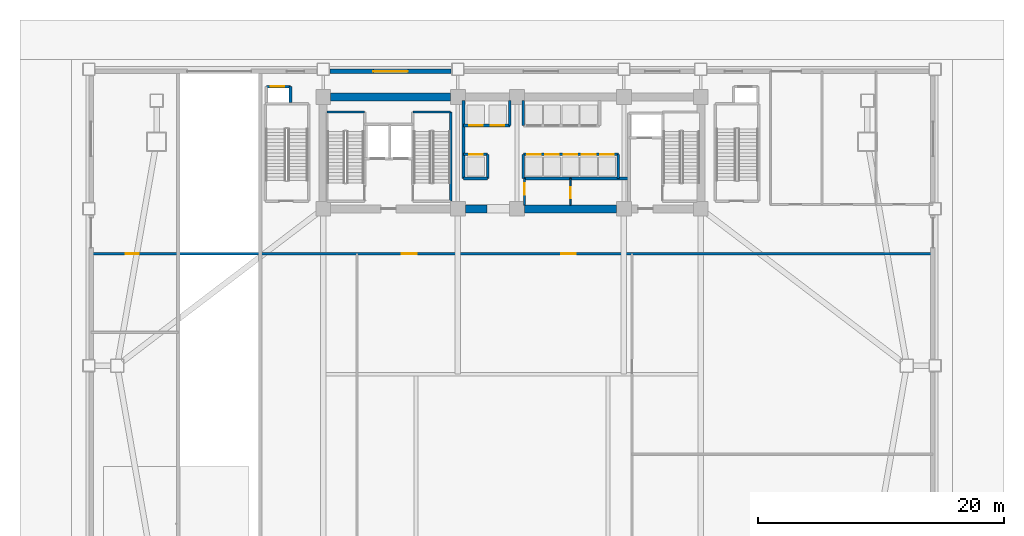
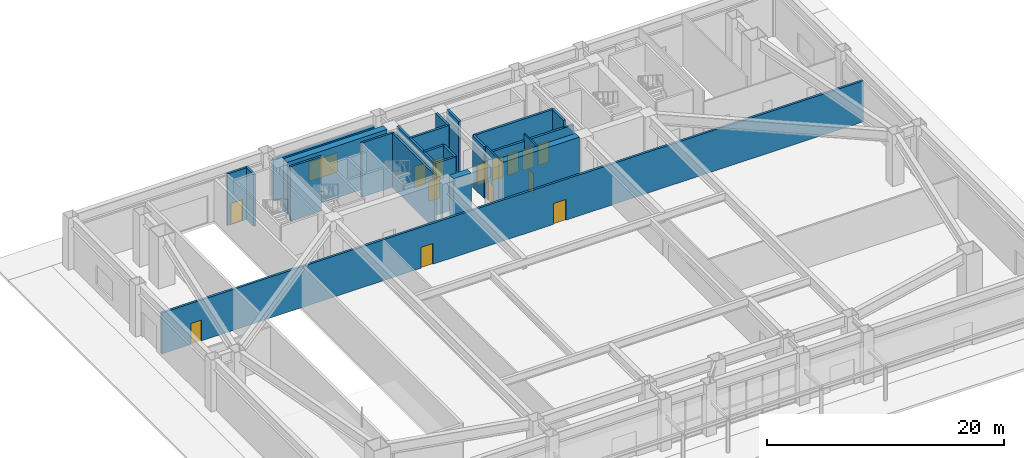
# One storey, part 10 of 18: 23 walls, 14 doors, 1 window, 15 openings.
"""IFC4 building model written with IfcOpenShell, lengths in metres."""

from ifc_helpers import new_model, si_unit, direction, frame, frame_2d, origin, place, context, subcontext, project, spatial, rectangle, extrude, source, transform, mapped, material, layer, layer_set, type_object, element, fill, save


model = new_model("IFC4")

# Units and contexts
model_context = context("Model", 3, precision=1e-05, world=origin(), true_north=direction((0.0, 1.0)))
body_context = subcontext(model_context, "Body", "Model", "MODEL_VIEW")
ifc_project = project(units=[si_unit("LENGTHUNIT", "METRE"), si_unit("AREAUNIT", "SQUARE_METRE"), si_unit("VOLUMEUNIT", "CUBIC_METRE"), si_unit("PLANEANGLEUNIT", "RADIAN"), si_unit("MASSUNIT", "GRAM", prefix="KILO")], contexts=[model_context])

# Site, building, storey
site_placement = place(None, origin())
site = spatial("IfcSite", under=ifc_project, at=site_placement, CompositionType="ELEMENT")
building_placement = place(site_placement, origin())
building = spatial("IfcBuilding", under=site, at=building_placement, Name="Giltprow Tower", CompositionType="ELEMENT")
storey_placement = place(building_placement, origin())
storey = spatial("IfcBuildingStorey", under=building, at=storey_placement, Name="L01", CompositionType="ELEMENT", Elevation=0.0)

# Wall, opening, window
ifc_material_1 = material(Name="Precast concrete C40", Category="concrete")
ifc_layer_1 = layer(ifc_material_1, 0.360107421875, Name="Precast concrete C40")
ifc_layer_set_1 = layer_set([ifc_layer_1], Name="Precast concrete C40")
wall_type_1 = type_object("IfcWallType", Name="EW-POD-STONE-360", PredefinedType="SOLIDWALL", material=ifc_layer_set_1)
wall_1_placement = place(storey_placement, frame((20.39990234375, 48.6201171875, 0.0), z_axis=(0.0, 0.0, 1.0), x_axis=(1.0, 0.0, 0.0)))
wall_1 = element("IfcWall", 1, at=wall_1_placement, inside=storey, type_object=wall_type_1, Name="L01 North Podium Masonry Wall 2", PredefinedType="SOLIDWALL", context=body_context, shape_type="SweptSolid", body=[
    extrude(rectangle(XDim=9.85009765625, YDim=0.360107421875, at=frame_2d((4.925048828125, 0.0))), origin(), (0.0, 0.0, 1.0), 4.219970703125),
])
opening_1_placement = place(wall_1_placement, frame((3.52490234375, 0.0, 0.719970703125)))
opening_1 = element("IfcOpeningElement", 2, at=opening_1_placement, cuts=wall_1, Name="Opening WN31", PredefinedType="OPENING", context=body_context, shape_type="SweptSolid", body=[
    extrude(rectangle(XDim=2.800048828125, YDim=2.0, at=frame_2d((1.39990234375, 1.0))), frame((0.0, 0.18994140625, 0.0), z_axis=(0.0, -1.0, 0.0), x_axis=(1.0, 0.0, 0.0)), (0.0, 0.0, 1.0), 0.380126953125),
])
ifc_material_2 = material(Name="Insulated glass", Category="glass")
window_type = type_object("IfcWindowType", Name="WN-POD-2800x2000", PartitioningType="SINGLE_PANEL", PredefinedType="WINDOW", material=ifc_material_2)
shared_shape_1 = source(origin(), body_context, "Body", "SweptSolid", [
    extrude(rectangle(XDim=2.800048828125, YDim=2.0, at=frame_2d((1.39990234375, 1.0))), frame((0.0, 0.030029296875, 0.0), z_axis=(0.0, -1.0, 0.0), x_axis=(1.0, 0.0, 0.0)), (0.0, 0.0, 1.0), 0.06005859375),
])
window_placement = place(opening_1_placement, origin())
window = element("IfcWindow", 3, at=window_placement, inside=storey, type_object=window_type, Name="L01 Podium North Window 2", OverallHeight=2.0, OverallWidth=2.800048828125, PartitioningType="SINGLE_PANEL", PredefinedType="WINDOW", context=body_context, shape_type="MappedRepresentation", body=[
    mapped(shared_shape_1, transform((0.0, 0.0, 0.0), x_axis=(1.0, 0.0, 0.0), y_axis=(0.0, 1.0, 0.0), z_axis=(0.0, 0.0, 1.0), scale=1.0)),
])
fill(opening_1, window)

# Wall, opening, door
ifc_material_3 = material(Name="Concrete C40", Category="concrete")
ifc_layer_2 = layer(ifc_material_3, 0.219970703125, Name="Concrete C40")
ifc_layer_set_2 = layer_set([ifc_layer_2], Name="Concrete C40")
wall_type_2 = type_object("IfcWallType", Name="IW-SHAFT-220", PredefinedType="SOLIDWALL", material=ifc_layer_set_2)
wall_2_placement = place(storey_placement, frame((15.22998046875, 47.3798828125, 0.0), z_axis=(0.0, 0.0, 1.0), x_axis=(1.0, 0.0, 0.0)))
wall_2 = element("IfcWall", 4, at=wall_2_placement, inside=storey, type_object=wall_type_2, Name="L01 PL-P1 Front Wall", PredefinedType="SOLIDWALL", context=body_context, shape_type="SweptSolid", body=[
    extrude(rectangle(XDim=1.9599609375, YDim=0.219970703125, at=frame_2d((0.97998046875, 0.0))), origin(), (0.0, 0.0, 1.0), 5.340087890625),
])
opening_2_placement = place(wall_2_placement, frame((0.35009765625, 0.0, 0.0)))
opening_2 = element("IfcOpeningElement", 5, at=opening_2_placement, cuts=wall_2, Name="Opening LD-11", PredefinedType="OPENING", context=body_context, shape_type="SweptSolid", body=[
    extrude(rectangle(XDim=1.10009765625, YDim=2.199951171875, at=frame_2d((0.550048828125, 1.10009765625))), frame((0.0, 0.119873046875, 0.0), z_axis=(0.0, -1.0, 0.0), x_axis=(1.0, 0.0, 0.0)), (0.0, 0.0, 1.0), 0.239990234375),
])
ifc_material_4 = material(Name="Stainless steel", Category="steel")
door_type_1 = type_object("IfcDoorType", Name="DR-LIFT-LD1100", OperationType="SLIDING_TO_LEFT", PredefinedType="DOOR", material=ifc_material_4)
shared_shape_2 = source(origin(), body_context, "Body", "SweptSolid", [
    extrude(rectangle(XDim=1.10009765625, YDim=2.199951171875, at=frame_2d((0.550048828125, 1.10009765625))), frame((0.0, 0.02490234375, 0.0), z_axis=(0.0, -1.0, 0.0), x_axis=(1.0, 0.0, 0.0)), (0.0, 0.0, 1.0), 0.050048828125),
])
door_1_placement = place(opening_2_placement, origin())
door_1 = element("IfcDoor", 6, at=door_1_placement, inside=storey, type_object=door_type_1, Name="L01 PL-P1 Landing Door", OperationType="SLIDING_TO_LEFT", OverallHeight=2.199951171875, OverallWidth=1.10009765625, PredefinedType="DOOR", context=body_context, shape_type="MappedRepresentation", body=[
    mapped(shared_shape_2, transform((0.0, 0.0, 0.0), x_axis=(1.0, 0.0, 0.0), y_axis=(0.0, 1.0, 0.0), z_axis=(0.0, 0.0, 1.0), scale=1.0)),
])
fill(opening_2, door_1)

# Wall
wall_3_placement = place(storey_placement, frame((17.18994140625, 46.090087890625, 0.0), z_axis=(0.0, 0.0, 1.0), x_axis=(0.0, 1.0, 0.0)))
element("IfcWall", 7, at=wall_3_placement, inside=storey, type_object=wall_type_2, Name="L01 PL-P1 East Shaft Wall", PredefinedType="SOLIDWALL", context=body_context, shape_type="SweptSolid", body=[
    extrude(rectangle(XDim=1.289794921875, YDim=0.219970703125, at=frame_2d((0.64501953125, 0.0))), origin(), (0.0, 0.0, 1.0), 5.340087890625),
])

# Wall, openings, doors
wall_4_placement = place(storey_placement, frame((31.25, 44.219970703125, 0.0), z_axis=(0.0, 0.0, 1.0), x_axis=(1.0, 0.0, 0.0)))
wall_4 = element("IfcWall", 8, at=wall_4_placement, inside=storey, type_object=wall_type_2, Name="L01 North West Lift Shaft Front Wall", PredefinedType="SOLIDWALL", context=body_context, shape_type="SweptSolid", body=[
    extrude(rectangle(XDim=3.77001953125, YDim=0.219970703125, at=frame_2d((1.885009765625, 0.0))), origin(), (0.0, 0.0, 1.0), 5.340087890625),
])
opening_3_placement = place(wall_4_placement, frame((0.4599609375, 0.0, 0.0)))
opening_3 = element("IfcOpeningElement", 9, at=opening_3_placement, cuts=wall_4, Name="Opening LD-11", PredefinedType="OPENING", context=body_context, shape_type="SweptSolid", body=[
    extrude(rectangle(XDim=1.10009765625, YDim=2.199951171875, at=frame_2d((0.550048828125, 1.10009765625))), frame((0.0, 0.119873046875, 0.0), z_axis=(0.0, -1.0, 0.0), x_axis=(1.0, 0.0, 0.0)), (0.0, 0.0, 1.0), 0.239990234375),
])
opening_4_placement = place(wall_4_placement, frame((2.239990234375, 0.0, 0.0)))
opening_4 = element("IfcOpeningElement", 10, at=opening_4_placement, cuts=wall_4, Name="Opening LD-11", PredefinedType="OPENING", context=body_context, shape_type="SweptSolid", body=[
    extrude(rectangle(XDim=1.10009765625, YDim=2.199951171875, at=frame_2d((0.550048828125, 1.10009765625))), frame((0.0, 0.119873046875, 0.0), z_axis=(0.0, -1.0, 0.0), x_axis=(1.0, 0.0, 0.0)), (0.0, 0.0, 1.0), 0.239990234375),
])
door_2_placement = place(opening_3_placement, origin())
door_2 = element("IfcDoor", 11, at=door_2_placement, inside=storey, type_object=door_type_1, Name="L01 PL-L1 Landing Door", OperationType="SLIDING_TO_LEFT", OverallHeight=2.199951171875, OverallWidth=1.10009765625, PredefinedType="DOOR", context=body_context, shape_type="MappedRepresentation", body=[
    mapped(shared_shape_2, transform((0.0, 0.0, 0.0), x_axis=(1.0, 0.0, 0.0), y_axis=(0.0, 1.0, 0.0), z_axis=(0.0, 0.0, 1.0), scale=1.0)),
])
fill(opening_3, door_2)
door_3_placement = place(opening_4_placement, origin())
door_3 = element("IfcDoor", 12, at=door_3_placement, inside=storey, type_object=door_type_1, Name="L01 PL-L2 Landing Door", OperationType="SLIDING_TO_LEFT", OverallHeight=2.199951171875, OverallWidth=1.10009765625, PredefinedType="DOOR", context=body_context, shape_type="MappedRepresentation", body=[
    mapped(shared_shape_2, transform((0.0, 0.0, 0.0), x_axis=(1.0, 0.0, 0.0), y_axis=(0.0, 1.0, 0.0), z_axis=(0.0, 0.0, 1.0), scale=1.0)),
])
fill(opening_4, door_3)

# Walls
for number, where, z_axis, x_axis, name in (
    (13, (35.02001953125, 44.219970703125, 0.0), (0.0, 0.0, 1.0), (0.0, 1.0, 0.0), "L01 North West Lift Shaft East Closure"),
    (14, (36.1201171875, 44.219970703125, 0.0), (0.0, 0.0, 1.0), (0.0, 1.0, 0.0), "L01 North East Lift Shaft West Closure"),
):
    element("IfcWall", number, at=place(storey_placement, frame(where, z_axis=z_axis, x_axis=x_axis)), inside=storey, type_object=wall_type_2, Name=name, PredefinedType="SOLIDWALL", context=body_context, shape_type="SweptSolid", body=[
        extrude(rectangle(XDim=2.025146484375, YDim=0.219970703125, at=frame_2d((1.0126953125, 0.0))), origin(), (0.0, 0.0, 1.0), 5.340087890625),
    ])

# Wall, opening, door
wall_5_placement = place(storey_placement, frame((31.25, 41.8798828125, 0.0), z_axis=(0.0, 0.0, 1.0), x_axis=(1.0, 0.0, 0.0)))
wall_5 = element("IfcWall", 15, at=wall_5_placement, inside=storey, type_object=wall_type_2, Name="L01 South West Lift Shaft Front Wall", PredefinedType="SOLIDWALL", context=body_context, shape_type="SweptSolid", body=[
    extrude(rectangle(XDim=1.969970703125, YDim=0.219970703125, at=frame_2d((0.98486328125, 0.0))), origin(), (0.0, 0.0, 1.0), 5.340087890625),
])
opening_5_placement = place(wall_5_placement, frame((0.4599609375, 0.0, 0.0)))
opening_5 = element("IfcOpeningElement", 16, at=opening_5_placement, cuts=wall_5, Name="Opening LD-11", PredefinedType="OPENING", context=body_context, shape_type="SweptSolid", body=[
    extrude(rectangle(XDim=1.10009765625, YDim=2.199951171875, at=frame_2d((0.550048828125, 1.10009765625))), frame((0.0, 0.119873046875, 0.0), z_axis=(0.0, -1.0, 0.0), x_axis=(1.0, 0.0, 0.0)), (0.0, 0.0, 1.0), 0.239990234375),
])
door_4_placement = place(opening_5_placement, origin())
door_4 = element("IfcDoor", 17, at=door_4_placement, inside=storey, type_object=door_type_1, Name="L01 PL-L3 Landing Door", OperationType="SLIDING_TO_LEFT", OverallHeight=2.199951171875, OverallWidth=1.10009765625, PredefinedType="DOOR", context=body_context, shape_type="MappedRepresentation", body=[
    mapped(shared_shape_2, transform((0.0, 0.0, 0.0), x_axis=(1.0, 0.0, 0.0), y_axis=(0.0, 1.0, 0.0), z_axis=(0.0, 0.0, 1.0), scale=1.0)),
])
fill(opening_5, door_4)

# Wall, openings, doors
wall_6_placement = place(storey_placement, frame((36.1201171875, 41.8798828125, 0.0), z_axis=(0.0, 0.0, 1.0), x_axis=(1.0, 0.0, 0.0)))
wall_6 = element("IfcWall", 18, at=wall_6_placement, inside=storey, type_object=wall_type_2, Name="L01 South East Lift Shaft Front Wall", PredefinedType="SOLIDWALL", context=body_context, shape_type="SweptSolid", body=[
    extrude(rectangle(XDim=7.72998046875, YDim=0.219970703125, at=frame_2d((3.864990234375, 0.0))), origin(), (0.0, 0.0, 1.0), 5.340087890625),
])
opening_6_placement = place(wall_6_placement, frame((6.260009765625, 0.0, 0.0)))
opening_6 = element("IfcOpeningElement", 19, at=opening_6_placement, cuts=wall_6, Name="Opening LD-11", PredefinedType="OPENING", context=body_context, shape_type="SweptSolid", body=[
    extrude(rectangle(XDim=1.10009765625, YDim=2.199951171875, at=frame_2d((0.550048828125, 1.10009765625))), frame((0.0, 0.119873046875, 0.0), z_axis=(0.0, -1.0, 0.0), x_axis=(1.0, 0.0, 0.0)), (0.0, 0.0, 1.0), 0.239990234375),
])
opening_7_placement = place(wall_6_placement, frame((0.300048828125, 0.0, 0.0)))
opening_7 = element("IfcOpeningElement", 20, at=opening_7_placement, cuts=wall_6, Name="Opening LD-11", PredefinedType="OPENING", context=body_context, shape_type="SweptSolid", body=[
    extrude(rectangle(XDim=1.10009765625, YDim=2.199951171875, at=frame_2d((0.550048828125, 1.10009765625))), frame((0.0, 0.119873046875, 0.0), z_axis=(0.0, -1.0, 0.0), x_axis=(1.0, 0.0, 0.0)), (0.0, 0.0, 1.0), 0.239990234375),
])
opening_8_placement = place(wall_6_placement, frame((1.7900390625, 0.0, 0.0)))
opening_8 = element("IfcOpeningElement", 21, at=opening_8_placement, cuts=wall_6, Name="Opening LD-11", PredefinedType="OPENING", context=body_context, shape_type="SweptSolid", body=[
    extrude(rectangle(XDim=1.10009765625, YDim=2.199951171875, at=frame_2d((0.550048828125, 1.10009765625))), frame((0.0, 0.119873046875, 0.0), z_axis=(0.0, -1.0, 0.0), x_axis=(1.0, 0.0, 0.0)), (0.0, 0.0, 1.0), 0.239990234375),
])
opening_9_placement = place(wall_6_placement, frame((3.280029296875, 0.0, 0.0)))
opening_9 = element("IfcOpeningElement", 22, at=opening_9_placement, cuts=wall_6, Name="Opening LD-11", PredefinedType="OPENING", context=body_context, shape_type="SweptSolid", body=[
    extrude(rectangle(XDim=1.10009765625, YDim=2.199951171875, at=frame_2d((0.550048828125, 1.10009765625))), frame((0.0, 0.119873046875, 0.0), z_axis=(0.0, -1.0, 0.0), x_axis=(1.0, 0.0, 0.0)), (0.0, 0.0, 1.0), 0.239990234375),
])
opening_10_placement = place(wall_6_placement, frame((4.77001953125, 0.0, 0.0)))
opening_10 = element("IfcOpeningElement", 23, at=opening_10_placement, cuts=wall_6, Name="Opening LD-11", PredefinedType="OPENING", context=body_context, shape_type="SweptSolid", body=[
    extrude(rectangle(XDim=1.10009765625, YDim=2.199951171875, at=frame_2d((0.550048828125, 1.10009765625))), frame((0.0, 0.119873046875, 0.0), z_axis=(0.0, -1.0, 0.0), x_axis=(1.0, 0.0, 0.0)), (0.0, 0.0, 1.0), 0.239990234375),
])
door_5_placement = place(opening_6_placement, origin())
door_5 = element("IfcDoor", 24, at=door_5_placement, inside=storey, type_object=door_type_1, Name="L01 PL-L4 Landing Door", OperationType="SLIDING_TO_LEFT", OverallHeight=2.199951171875, OverallWidth=1.10009765625, PredefinedType="DOOR", context=body_context, shape_type="MappedRepresentation", body=[
    mapped(shared_shape_2, transform((0.0, 0.0, 0.0), x_axis=(1.0, 0.0, 0.0), y_axis=(0.0, 1.0, 0.0), z_axis=(0.0, 0.0, 1.0), scale=1.0)),
])
fill(opening_6, door_5)
door_6_placement = place(opening_7_placement, origin())
door_6 = element("IfcDoor", 25, at=door_6_placement, inside=storey, type_object=door_type_1, Name="L01 PL-H3 Landing Door", OperationType="SLIDING_TO_LEFT", OverallHeight=2.199951171875, OverallWidth=1.10009765625, PredefinedType="DOOR", context=body_context, shape_type="MappedRepresentation", body=[
    mapped(shared_shape_2, transform((0.0, 0.0, 0.0), x_axis=(1.0, 0.0, 0.0), y_axis=(0.0, 1.0, 0.0), z_axis=(0.0, 0.0, 1.0), scale=1.0)),
])
fill(opening_7, door_6)
door_7_placement = place(opening_8_placement, origin())
door_7 = element("IfcDoor", 26, at=door_7_placement, inside=storey, type_object=door_type_1, Name="L01 PL-H4 Landing Door", OperationType="SLIDING_TO_LEFT", OverallHeight=2.199951171875, OverallWidth=1.10009765625, PredefinedType="DOOR", context=body_context, shape_type="MappedRepresentation", body=[
    mapped(shared_shape_2, transform((0.0, 0.0, 0.0), x_axis=(1.0, 0.0, 0.0), y_axis=(0.0, 1.0, 0.0), z_axis=(0.0, 0.0, 1.0), scale=1.0)),
])
fill(opening_8, door_7)
door_8_placement = place(opening_9_placement, origin())
door_8 = element("IfcDoor", 27, at=door_8_placement, inside=storey, type_object=door_type_1, Name="L01 PL-M3 Landing Door", OperationType="SLIDING_TO_LEFT", OverallHeight=2.199951171875, OverallWidth=1.10009765625, PredefinedType="DOOR", context=body_context, shape_type="MappedRepresentation", body=[
    mapped(shared_shape_2, transform((0.0, 0.0, 0.0), x_axis=(1.0, 0.0, 0.0), y_axis=(0.0, 1.0, 0.0), z_axis=(0.0, 0.0, 1.0), scale=1.0)),
])
fill(opening_9, door_8)
door_9_placement = place(opening_10_placement, origin())
door_9 = element("IfcDoor", 28, at=door_9_placement, inside=storey, type_object=door_type_1, Name="L01 PL-M4 Landing Door", OperationType="SLIDING_TO_LEFT", OverallHeight=2.199951171875, OverallWidth=1.10009765625, PredefinedType="DOOR", context=body_context, shape_type="MappedRepresentation", body=[
    mapped(shared_shape_2, transform((0.0, 0.0, 0.0), x_axis=(1.0, 0.0, 0.0), y_axis=(0.0, 1.0, 0.0), z_axis=(0.0, 0.0, 1.0), scale=1.0)),
])
fill(opening_10, door_9)

# Walls
wall_7_placement = place(storey_placement, frame((31.25, 39.919921875, 0.0), z_axis=(0.0, 0.0, 1.0), x_axis=(1.0, 0.0, 0.0)))
element("IfcWall", 29, at=wall_7_placement, inside=storey, type_object=wall_type_2, Name="L01 Low-Rise South Lift Back Wall", PredefinedType="SOLIDWALL", context=body_context, shape_type="SweptSolid", body=[
    extrude(rectangle(XDim=1.969970703125, YDim=0.219970703125, at=frame_2d((0.98486328125, 0.0))), origin(), (0.0, 0.0, 1.0), 5.340087890625),
])
wall_8_placement = place(storey_placement, frame((33.219970703125, 39.919921875, 0.0), z_axis=(0.0, 0.0, 1.0), x_axis=(0.0, 1.0, 0.0)))
element("IfcWall", 30, at=wall_8_placement, inside=storey, type_object=wall_type_2, Name="L01 Low-Rise South Lift East Closure", PredefinedType="SOLIDWALL", context=body_context, shape_type="SweptSolid", body=[
    extrude(rectangle(XDim=1.9599609375, YDim=0.219970703125, at=frame_2d((0.97998046875, 0.0))), origin(), (0.0, 0.0, 1.0), 5.340087890625),
])
wall_9_placement = place(storey_placement, frame((36.1201171875, 39.919921875, 0.0), z_axis=(0.0, 0.0, 1.0), x_axis=(1.0, 0.0, 0.0)))
element("IfcWall", 31, at=wall_9_placement, inside=storey, type_object=wall_type_2, Name="L01 Express South Shaft Back Wall", PredefinedType="SOLIDWALL", context=body_context, shape_type="SweptSolid", body=[
    extrude(rectangle(XDim=8.599853515625, YDim=0.219970703125, at=frame_2d((4.2998046875, 0.0))), origin(), (0.0, 0.0, 1.0), 4.625),
])
wall_10_placement = place(storey_placement, frame((36.1201171875, 39.919921875, 0.0), z_axis=(0.0, 0.0, 1.0), x_axis=(0.0, 1.0, 0.0)))
element("IfcWall", 32, at=wall_10_placement, inside=storey, type_object=wall_type_2, Name="L01 Express South Shaft West Closure", PredefinedType="SOLIDWALL", context=body_context, shape_type="SweptSolid", body=[
    extrude(rectangle(XDim=1.9599609375, YDim=0.219970703125, at=frame_2d((0.97998046875, 0.0))), origin(), (0.0, 0.0, 1.0), 5.340087890625),
])
wall_11_placement = place(storey_placement, frame((31.25, 39.919921875, 0.0), z_axis=(0.0, 0.0, 1.0), x_axis=(0.0, 1.0, 0.0)))
element("IfcWall", 33, at=wall_11_placement, inside=storey, type_object=wall_type_2, Name="L01 Lift Bank West Closure", PredefinedType="SOLIDWALL", context=body_context, shape_type="SweptSolid", body=[
    extrude(rectangle(XDim=6.3251953125, YDim=0.219970703125, at=frame_2d((3.16259765625, 0.0))), origin(), (0.0, 0.0, 1.0), 5.340087890625),
])
wall_12_placement = place(storey_placement, frame((43.85009765625, 39.919921875, 0.0), z_axis=(0.0, 0.0, 1.0), x_axis=(0.0, 1.0, 0.0)))
element("IfcWall", 34, at=wall_12_placement, inside=storey, type_object=wall_type_2, Name="L01 Lift Bank South-East Closure", PredefinedType="SOLIDWALL", context=body_context, shape_type="SweptSolid", body=[
    extrude(rectangle(XDim=1.9599609375, YDim=0.219970703125, at=frame_2d((0.97998046875, 0.0))), origin(), (0.0, 0.0, 1.0), 5.340087890625),
])

# Wall, openings, doors
wall_13_placement = place(storey_placement, frame((0.97998046875, 33.800048828125, 0.0), z_axis=(0.0, 0.0, 1.0), x_axis=(1.0, 0.0, 0.0)))
wall_13 = element("IfcWall", 35, at=wall_13_placement, inside=storey, type_object=wall_type_2, Name="L01 Protected Exit Discharge Wall", PredefinedType="SOLIDWALL", context=body_context, shape_type="SweptSolid", body=[
    extrude(rectangle(XDim=68.43994140625, YDim=0.219970703125, at=frame_2d((34.219970703125, 0.0))), origin(), (0.0, 0.0, 1.0), 4.22509765625),
])
opening_11_placement = place(wall_13_placement, frame((25.27001953125, 0.0, 0.0)))
opening_11 = element("IfcOpeningElement", 36, at=opening_11_placement, cuts=wall_13, Name="Opening ID19", PredefinedType="OPENING", context=body_context, shape_type="SweptSolid", body=[
    extrude(rectangle(XDim=1.199951171875, YDim=2.14990234375, at=frame_2d((0.60009765625, 1.074951171875))), frame((0.0, 0.119873046875, 0.0), z_axis=(0.0, -1.0, 0.0), x_axis=(1.0, 0.0, 0.0)), (0.0, 0.0, 1.0), 0.239990234375),
])
opening_12_placement = place(wall_13_placement, frame((38.219970703125, 0.0, 0.0)))
opening_12 = element("IfcOpeningElement", 37, at=opening_12_placement, cuts=wall_13, Name="Opening ID19", PredefinedType="OPENING", context=body_context, shape_type="SweptSolid", body=[
    extrude(rectangle(XDim=1.199951171875, YDim=2.14990234375, at=frame_2d((0.60009765625, 1.074951171875))), frame((0.0, 0.119873046875, 0.0), z_axis=(0.0, -1.0, 0.0), x_axis=(1.0, 0.0, 0.0)), (0.0, 0.0, 1.0), 0.239990234375),
])
opening_13_placement = place(wall_13_placement, frame((2.820068359375, 0.0, 0.0)))
opening_13 = element("IfcOpeningElement", 38, at=opening_13_placement, cuts=wall_13, Name="Opening ID31", PredefinedType="OPENING", context=body_context, shape_type="SweptSolid", body=[
    extrude(rectangle(XDim=1.050048828125, YDim=2.14990234375, at=frame_2d((0.52490234375, 1.074951171875))), frame((0.0, 0.119873046875, 0.0), z_axis=(0.0, -1.0, 0.0), x_axis=(1.0, 0.0, 0.0)), (0.0, 0.0, 1.0), 0.239990234375),
])
ifc_material_5 = material(Name="Steel fire leaf", Category="steel")
door_type_2 = type_object("IfcDoorType", Name="DR-FFLOBBY-1200", OperationType="SINGLE_SWING_RIGHT", PredefinedType="DOOR", material=ifc_material_5)
shared_shape_3 = source(origin(), body_context, "Body", "SweptSolid", [
    extrude(rectangle(XDim=1.199951171875, YDim=2.14990234375, at=frame_2d((0.60009765625, 1.074951171875))), frame((0.0, 0.02490234375, 0.0), z_axis=(0.0, -1.0, 0.0), x_axis=(1.0, 0.0, 0.0)), (0.0, 0.0, 1.0), 0.050048828125),
])
door_10_placement = place(opening_11_placement, origin())
door_10 = element("IfcDoor", 39, at=door_10_placement, inside=storey, type_object=door_type_2, Name="L01 Atrium Concourse North-West Fire Door", OperationType="SINGLE_SWING_RIGHT", OverallHeight=2.14990234375, OverallWidth=1.199951171875, PredefinedType="DOOR", context=body_context, shape_type="MappedRepresentation", body=[
    mapped(shared_shape_3, transform((0.0, 0.0, 0.0), x_axis=(1.0, 0.0, 0.0), y_axis=(0.0, 1.0, 0.0), z_axis=(0.0, 0.0, 1.0), scale=1.0)),
])
fill(opening_11, door_10)
door_11_placement = place(opening_12_placement, origin())
door_11 = element("IfcDoor", 40, at=door_11_placement, inside=storey, type_object=door_type_2, Name="L01 Atrium Concourse North-East Fire Door", OperationType="SINGLE_SWING_LEFT", OverallHeight=2.14990234375, OverallWidth=1.199951171875, PredefinedType="DOOR", context=body_context, shape_type="MappedRepresentation", body=[
    mapped(shared_shape_3, transform((0.0, 0.0, 0.0), x_axis=(1.0, 0.0, 0.0), y_axis=(0.0, 1.0, 0.0), z_axis=(0.0, 0.0, 1.0), scale=1.0)),
])
fill(opening_12, door_11)
ifc_material_6 = material(Name="Engineered timber", Category="wood")
door_type_3 = type_object("IfcDoorType", Name="DR-SUITE-1050", OperationType="SINGLE_SWING_LEFT", PredefinedType="DOOR", material=ifc_material_6)
shared_shape_4 = source(origin(), body_context, "Body", "SweptSolid", [
    extrude(rectangle(XDim=1.050048828125, YDim=2.14990234375, at=frame_2d((0.52490234375, 1.074951171875))), frame((0.0, 0.02490234375, 0.0), z_axis=(0.0, -1.0, 0.0), x_axis=(1.0, 0.0, 0.0)), (0.0, 0.0, 1.0), 0.050048828125),
])
door_12_placement = place(opening_13_placement, origin())
door_12 = element("IfcDoor", 41, at=door_12_placement, inside=storey, type_object=door_type_3, Name="L01 Fire Command Centre Door", OperationType="SINGLE_SWING_LEFT", OverallHeight=2.14990234375, OverallWidth=1.050048828125, PredefinedType="DOOR", context=body_context, shape_type="MappedRepresentation", body=[
    mapped(shared_shape_4, transform((0.0, 0.0, 0.0), x_axis=(1.0, 0.0, 0.0), y_axis=(0.0, 1.0, 0.0), z_axis=(0.0, 0.0, 1.0), scale=1.0)),
])
fill(opening_13, door_12)

# Walls
ifc_layer_3 = layer(ifc_material_3, 0.199951171875, Name="Concrete C40")
ifc_layer_set_3 = layer_set([ifc_layer_3], Name="Concrete C40")
wall_type_3 = type_object("IfcWallType", Name="IW-STAIR-200", PredefinedType="SOLIDWALL", material=ifc_layer_set_3)
wall_14_placement = place(storey_placement, frame((20.169921875, 45.320068359375, 0.0), z_axis=(0.0, 0.0, 1.0), x_axis=(1.0, 0.0, 0.0)))
element("IfcWall", 42, at=wall_14_placement, inside=storey, type_object=wall_type_3, Name="L01 Stair ST-1 North Bearing Wall", PredefinedType="SOLIDWALL", context=body_context, shape_type="SweptSolid", body=[
    extrude(rectangle(XDim=3.050048828125, YDim=0.199951171875, at=frame_2d((1.52490234375, 0.0))), origin(), (0.0, 0.0, 1.0), 5.60009765625),
])
wall_15_placement = place(storey_placement, frame((30.219970703125, 38.070068359375, 0.0), z_axis=(0.0, 0.0, 1.0), x_axis=(0.0, 1.0, 0.0)))
element("IfcWall", 43, at=wall_15_placement, inside=storey, type_object=wall_type_3, Name="L01 Stair ST-2 East Bearing Wall", PredefinedType="SOLIDWALL", context=body_context, shape_type="SweptSolid", body=[
    extrude(rectangle(XDim=7.25, YDim=0.199951171875, at=frame_2d((3.625, 0.0))), origin(), (0.0, 0.0, 1.0), 5.60009765625),
])
wall_16_placement = place(storey_placement, frame((27.139892578125, 45.320068359375, 0.0), z_axis=(0.0, 0.0, 1.0), x_axis=(1.0, 0.0, 0.0)))
element("IfcWall", 44, at=wall_16_placement, inside=storey, type_object=wall_type_3, Name="L01 Stair ST-2 North Bearing Wall", PredefinedType="SOLIDWALL", context=body_context, shape_type="SweptSolid", body=[
    extrude(rectangle(XDim=3.080078125, YDim=0.199951171875, at=frame_2d((1.5400390625, 0.0))), origin(), (0.0, 0.0, 1.0), 5.60009765625),
])

# Wall, opening, door
ifc_material_7 = material(Name="Concrete C30", Category="concrete")
ifc_layer_4 = layer(ifc_material_7, 0.1298828125, Name="Concrete C30")
ifc_layer_set_4 = layer_set([ifc_layer_4], Name="Concrete C30")
wall_type_4 = type_object("IfcWallType", Name="IW-WET-130", PredefinedType="PARTITIONING", material=ifc_layer_set_4)
wall_17_placement = place(storey_placement, frame((36.219970703125, 37.7548828125, 0.0), z_axis=(0.0, 0.0, 1.0), x_axis=(0.0, 1.0, 0.0)))
wall_17 = element("IfcWall", 45, at=wall_17_placement, inside=storey, type_object=wall_type_4, Name="L01 Core Suite West Wall", PredefinedType="PARTITIONING", context=body_context, shape_type="SweptSolid", body=[
    extrude(rectangle(XDim=2.1650390625, YDim=0.1298828125, at=frame_2d((1.08251953125, 0.0))), origin(), (0.0, 0.0, 1.0), 5.340087890625),
])
opening_14_placement = place(wall_17_placement, frame((0.85498046875, 0.0, 0.0)))
opening_14 = element("IfcOpeningElement", 46, at=opening_14_placement, cuts=wall_17, Name="Opening ID35", PredefinedType="OPENING", context=body_context, shape_type="SweptSolid", body=[
    extrude(rectangle(XDim=0.89990234375, YDim=2.10009765625, at=frame_2d((0.449951171875, 1.050048828125))), frame((0.0, 0.074951171875, 0.0), z_axis=(0.0, -1.0, 0.0), x_axis=(1.0, 0.0, 0.0)), (0.0, 0.0, 1.0), 0.14990234375),
])
door_type_4 = type_object("IfcDoorType", Name="DR-SHAFT-900", OperationType="SINGLE_SWING_LEFT", PredefinedType="DOOR", material=ifc_material_5)
shared_shape_5 = source(origin(), body_context, "Body", "SweptSolid", [
    extrude(rectangle(XDim=0.89990234375, YDim=2.10009765625, at=frame_2d((0.449951171875, 1.050048828125))), frame((0.0, 0.02490234375, 0.0), z_axis=(0.0, -1.0, 0.0), x_axis=(1.0, 0.0, 0.0)), (0.0, 0.0, 1.0), 0.050048828125),
])
door_13_placement = place(opening_14_placement, origin())
door_13 = element("IfcDoor", 47, at=door_13_placement, inside=storey, type_object=door_type_4, Name="L01 Core Powder Room Door", OperationType="SINGLE_SWING_RIGHT", OverallHeight=2.10009765625, OverallWidth=0.89990234375, PredefinedType="DOOR", context=body_context, shape_type="MappedRepresentation", body=[
    mapped(shared_shape_5, transform((0.0, 0.0, 0.0), x_axis=(1.0, 0.0, 0.0), y_axis=(0.0, 1.0, 0.0), z_axis=(0.0, 0.0, 1.0), scale=1.0)),
])
fill(opening_14, door_13)

wall_18_placement = place(storey_placement, frame((39.949951171875, 37.7548828125, 0.0), z_axis=(0.0, 0.0, 1.0), x_axis=(0.0, 1.0, 0.0)))
wall_18 = element("IfcWall", 48, at=wall_18_placement, inside=storey, type_object=wall_type_4, Name="L01 Core Suite Divider", PredefinedType="PARTITIONING", context=body_context, shape_type="SweptSolid", body=[
    extrude(rectangle(XDim=2.1650390625, YDim=0.1298828125, at=frame_2d((1.08251953125, 0.0))), origin(), (0.0, 0.0, 1.0), 5.340087890625),
])
opening_15_placement = place(wall_18_placement, frame((0.56494140625, 0.0, 0.0)))
opening_15 = element("IfcOpeningElement", 49, at=opening_15_placement, cuts=wall_18, Name="Opening ID35", PredefinedType="OPENING", context=body_context, shape_type="SweptSolid", body=[
    extrude(rectangle(XDim=0.89990234375, YDim=2.10009765625, at=frame_2d((0.449951171875, 1.050048828125))), frame((0.0, 0.074951171875, 0.0), z_axis=(0.0, -1.0, 0.0), x_axis=(1.0, 0.0, 0.0)), (0.0, 0.0, 1.0), 0.14990234375),
])
door_14_placement = place(opening_15_placement, origin())
door_14 = element("IfcDoor", 50, at=door_14_placement, inside=storey, type_object=door_type_4, Name="L01 Core Pantry Closet Door", OperationType="SINGLE_SWING_LEFT", OverallHeight=2.10009765625, OverallWidth=0.89990234375, PredefinedType="DOOR", context=body_context, shape_type="MappedRepresentation", body=[
    mapped(shared_shape_5, transform((0.0, 0.0, 0.0), x_axis=(1.0, 0.0, 0.0), y_axis=(0.0, 1.0, 0.0), z_axis=(0.0, 0.0, 1.0), scale=1.0)),
])
fill(opening_15, door_14)

# Walls
ifc_material_8 = material(Name="Concrete C60", Category="concrete")
ifc_layer_5 = layer(ifc_material_8, 0.64990234375, Name="Concrete C60")
ifc_layer_set_5 = layer_set([ifc_layer_5], Name="Concrete C60")
wall_type_5 = type_object("IfcWallType", Name="SW-INT-650-C60", PredefinedType="SHEAR", material=ifc_layer_set_5)
wall_19_placement = place(storey_placement, frame((20.449951171875, 46.550048828125, 0.0), z_axis=(0.0, 0.0, 1.0), x_axis=(1.0, 0.0, 0.0)))
element("IfcWall", 51, at=wall_19_placement, inside=storey, type_object=wall_type_5, Name="L01 North Rear Core Shear Wall 1", PredefinedType="SHEAR", context=body_context, shape_type="SweptSolid", body=[
    extrude(rectangle(XDim=9.75, YDim=0.64990234375, at=frame_2d((4.875, 0.0))), origin(), (0.0, 0.0, 1.0), 5.340087890625),
])
wall_20_placement = place(storey_placement, frame((31.39990234375, 37.449951171875, 0.0), z_axis=(0.0, 0.0, 1.0), x_axis=(1.0, 0.0, 0.0)))
element("IfcWall", 52, at=wall_20_placement, inside=storey, type_object=wall_type_5, Name="L01 South Rear Core Shear Wall Mid-West", PredefinedType="SHEAR", context=body_context, shape_type="SweptSolid", body=[
    extrude(rectangle(XDim=1.75, YDim=0.64990234375, at=frame_2d((0.875, 0.0))), origin(), (0.0, 0.0, 1.0), 5.340087890625),
])
wall_21_placement = place(storey_placement, frame((36.199951171875, 37.449951171875, 0.0), z_axis=(0.0, 0.0, 1.0), x_axis=(1.0, 0.0, 0.0)))
element("IfcWall", 53, at=wall_21_placement, inside=storey, type_object=wall_type_5, Name="L01 South Rear Core Shear Wall Mid-East", PredefinedType="SHEAR", context=body_context, shape_type="SweptSolid", body=[
    extrude(rectangle(XDim=7.5, YDim=0.64990234375, at=frame_2d((3.75, 0.0))), origin(), (0.0, 0.0, 1.0), 5.340087890625),
])

save(model, "model.ifc")
